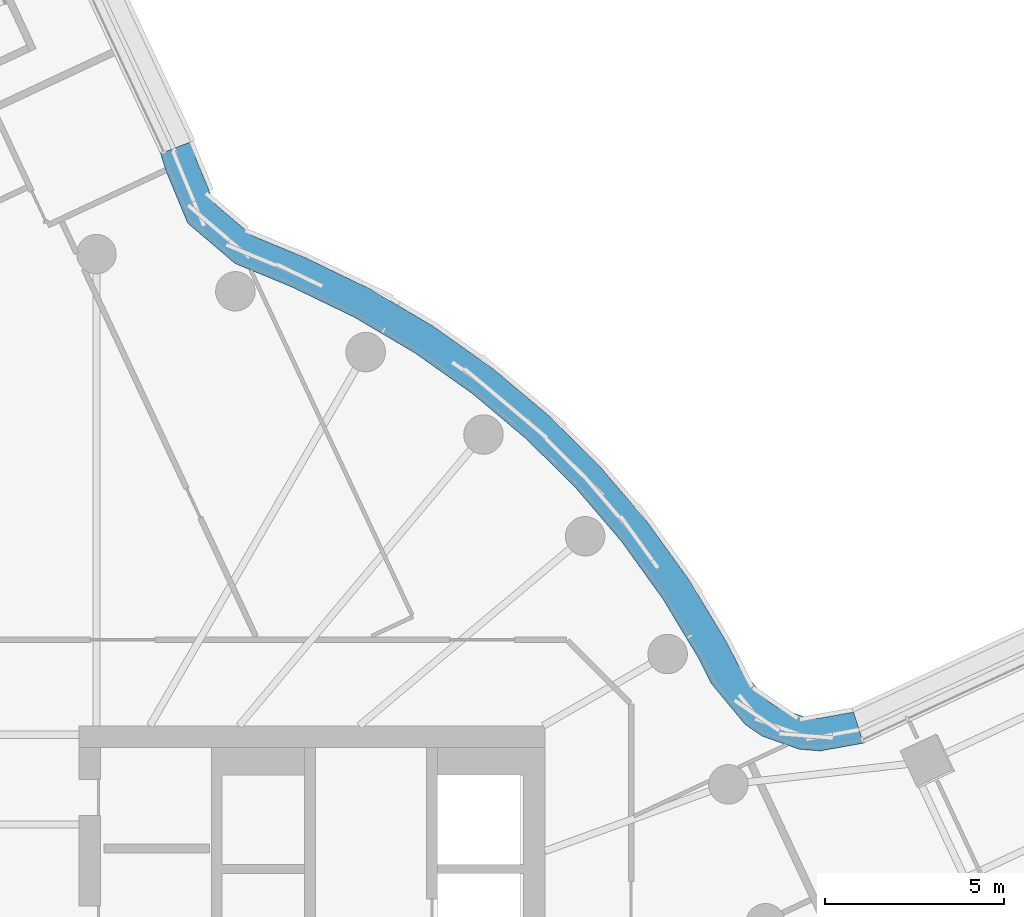
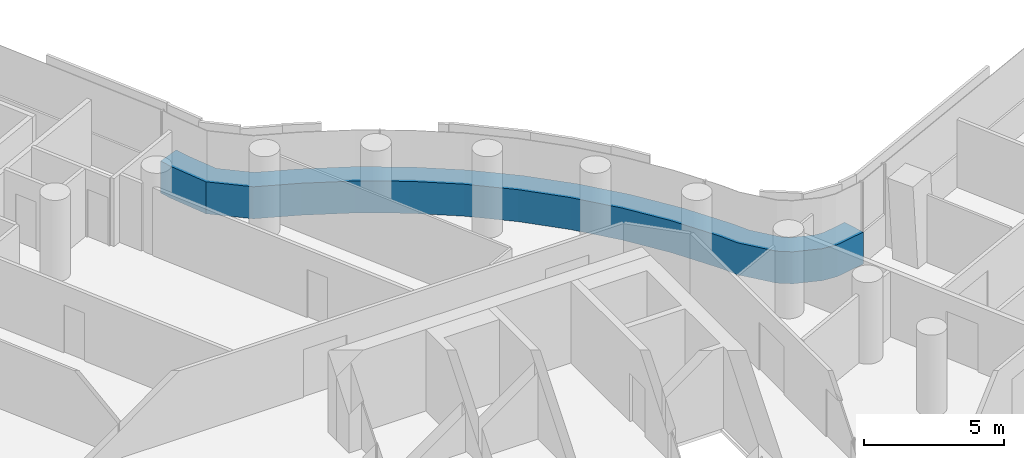
# One storey, part 18 of 36: 1 member, 1 element without a shape of its own.
"""IFC4 building model written with IfcOpenShell, lengths in metres."""

from ifc_helpers import new_model, si_unit, direction, frame, origin, place, context, subcontext, project, spatial, polyline, outline, extrude, material, layer, layer_set, type_object, element, aggregate, save


model = new_model("IFC4")

# Units and contexts
model_context = context("Model", 3, precision=1e-05, world=origin(), true_north=direction((0.0, 1.0)))
body_context = subcontext(model_context, "Body", "Model", "MODEL_VIEW")
ifc_project = project(units=[si_unit("LENGTHUNIT", "METRE"), si_unit("AREAUNIT", "SQUARE_METRE"), si_unit("VOLUMEUNIT", "CUBIC_METRE"), si_unit("PLANEANGLEUNIT", "RADIAN"), si_unit("MASSUNIT", "GRAM", prefix="KILO")], contexts=[model_context])

# Site, building, storey
site_placement = place(None, origin())
site = spatial("IfcSite", under=ifc_project, at=site_placement, CompositionType="ELEMENT")
building_placement = place(site_placement, origin())
building = spatial("IfcBuilding", under=site, at=building_placement, Name="Tamarind Cross Interchange Tower", CompositionType="ELEMENT")
storey_placement = place(building_placement, frame((0.0, 0.0, 124.75)))
storey = spatial("IfcBuildingStorey", under=building, at=storey_placement, Name="L30", CompositionType="ELEMENT", Elevation=124.75)

# Curtain wall, member
ifc_material_1 = material(Name="Aluminium 6063-T6", Category="aluminium")
ifc_layer = layer(ifc_material_1, 0.159912109375)
ifc_layer_set = layer_set([ifc_layer], Name="Aluminium 6063-T6")
curtain_wall_type = type_object("IfcCurtainWallType", Name="Office curtain wall, 9.0 m bays", PredefinedType="NOTDEFINED", material=ifc_layer_set)
curtain_wall_placement = place(storey_placement, origin())
curtain_wall = element("IfcCurtainWall", 1, at=curtain_wall_placement, inside=storey, type_object=curtain_wall_type, Name="CWS-L30-10", PredefinedType="NOTDEFINED")
ifc_material_2 = material(Name="Aluminium and insulated spandrel panel", Category="aluminium")
member_type = type_object("IfcMemberType", Name="Floor-edge blade transom", PredefinedType="USERDEFINED", material=ifc_material_2)
member_placement = place(storey_placement, origin())
member = element("IfcMember", 2, at=member_placement, type_object=member_type, Name="CWT-L30-10", ObjectType="TRANSOM", PredefinedType="USERDEFINED", context=body_context, shape_type="SweptSolid", body=[
    extrude(outline(polyline([(25.378662109375, 9.0146484375), (24.173828125, 8.797119140625), (23.59423828125, 8.84375), (22.562744140625, 9.207763671875), (22.0791015625, 9.537353515625), (21.13818359375, 10.67724609375), (20.79150390625, 11.366455078125), (19.78125, 13.045654296875), (18.636474609375, 14.634521484375), (17.3642578125, 16.12353515625), (15.973388671875, 17.50244140625), (14.4736328125, 18.76171875), (12.874755859375, 19.892822265625), (11.188232421875, 20.88818359375), (9.421630859375, 21.7421875), (7.85986328125, 22.38720703125), (6.53662109375, 23.5146484375), (5.936767578125, 24.962158203125), (5.78125, 25.45361328125), (6.621337890625, 25.781494140625), (6.783203125, 25.27099609375), (7.28515625, 24.05908203125), (8.335205078125, 23.164794921875), (9.789794921875, 22.56396484375), (11.613525390625, 21.68212890625), (13.3642578125, 20.64892578125), (15.023681640625, 19.474853515625), (16.580810546875, 18.167724609375), (18.0244140625, 16.736572265625), (19.344970703125, 15.19091796875), (20.533203125, 13.54150390625), (21.580322265625, 11.801513671875), (21.896728515625, 11.172119140625), (22.69189453125, 10.208984375), (22.97265625, 10.017578125), (23.783203125, 9.7314453125), (24.129150390625, 9.70361328125), (25.10400390625, 9.879638671875), (25.378662109375, 9.0146484375)])), origin(), (0.0, 0.0, 1.0), 1.39990234375),
])
aggregate(curtain_wall, [member])

save(model, "model.ifc")
